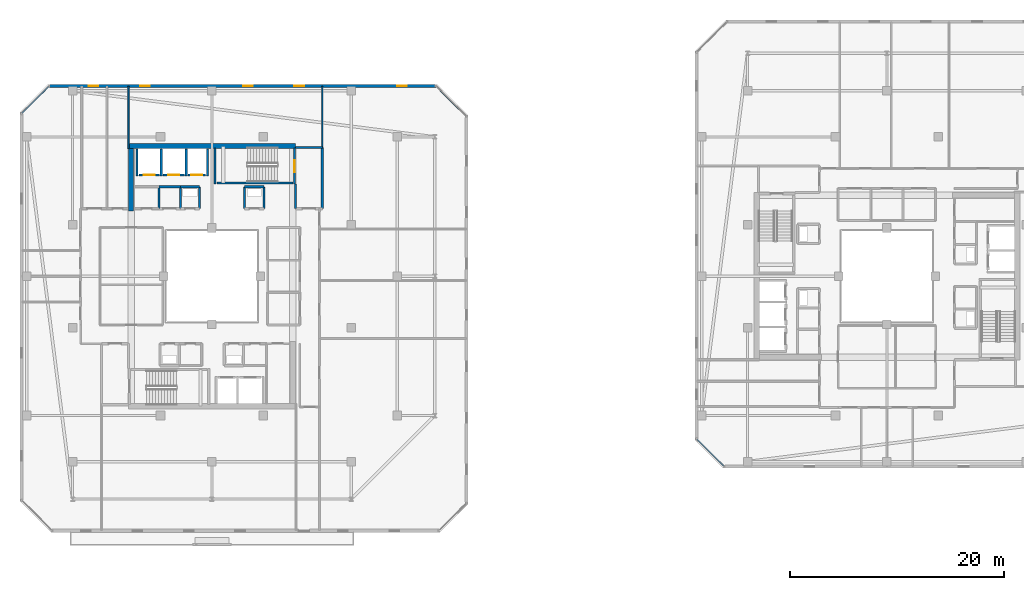
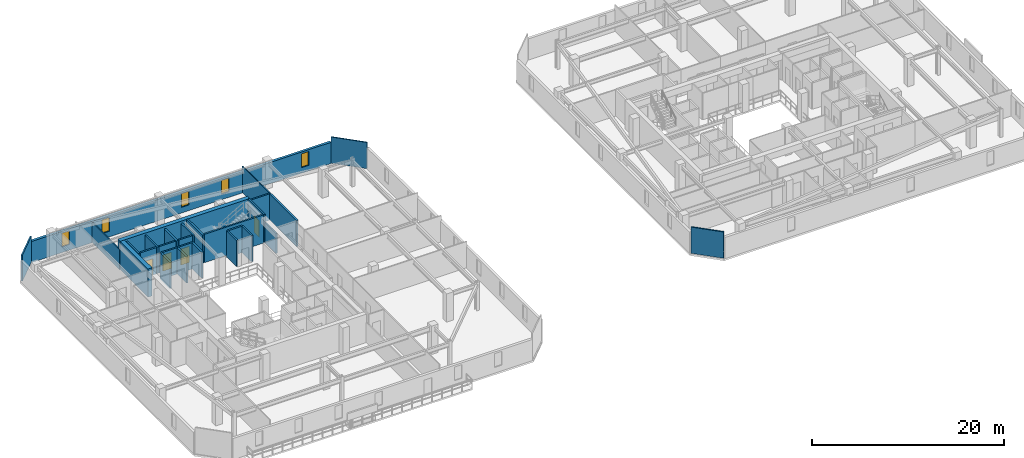
# One storey, part 24 of 35: 29 walls, 5 windows, 4 doors, 9 openings.
"""IFC4 building model written with IfcOpenShell, lengths in metres."""

from ifc_helpers import new_model, si_unit, direction, frame, frame_2d, origin, place, context, subcontext, project, spatial, rectangle, extrude, material, layer, layer_set, type_object, element, fill, save


model = new_model("IFC4")

# Units and contexts
model_context = context("Model", 3, precision=1e-05, world=origin(), true_north=direction((0.0, 1.0)))
body_context = subcontext(model_context, "Body", "Model", "MODEL_VIEW")
ifc_project = project(units=[si_unit("LENGTHUNIT", "METRE"), si_unit("AREAUNIT", "SQUARE_METRE"), si_unit("VOLUMEUNIT", "CUBIC_METRE"), si_unit("PLANEANGLEUNIT", "RADIAN"), si_unit("MASSUNIT", "GRAM", prefix="KILO")], contexts=[model_context])

# Site, building, storey
site_placement = place(None, origin())
site = spatial("IfcSite", under=ifc_project, at=site_placement, CompositionType="ELEMENT")
building_placement = place(site_placement, origin())
building = spatial("IfcBuilding", under=site, at=building_placement, Name="Thornwick Lancets Civic Towers", CompositionType="ELEMENT")
storey_placement = place(building_placement, frame((0.0, 0.0, 272.699951171875)))
storey = spatial("IfcBuildingStorey", under=building, at=storey_placement, Name="L73", CompositionType="ELEMENT", Elevation=272.699951171875)

# Wall, opening, door
ifc_material_1 = material(Name="Concrete blockwork C40/50", Category="masonry")
ifc_layer_1 = layer(ifc_material_1, 0.199951171875, Name="Concrete blockwork C40/50")
ifc_layer_set_1 = layer_set([ifc_layer_1], Name="Concrete blockwork C40/50")
wall_type_1 = type_object("IfcWallType", Name="WALL_COMP_200", PredefinedType="STANDARD", material=ifc_layer_set_1)
wall_1_placement = place(storey_placement, frame((24.919921875, 36.449951171875, 0.0), z_axis=(0.0, 0.0, 1.0), x_axis=(-1.0, 0.0, 0.0)))
wall_1 = element("IfcWall", 1, at=wall_1_placement, inside=storey, type_object=wall_type_1, Name="L73 Hoistway Front Wall FL-A2", PredefinedType="STANDARD", context=body_context, shape_type="SweptSolid", body=[
    extrude(rectangle(XDim=1.639892578125, YDim=0.199951171875, at=frame_2d((0.81982421875, 0.0))), origin(), (0.0, 0.0, 1.0), 3.340087890625),
])
opening_1_placement = place(wall_1_placement, frame((0.31005859375, 0.0, 0.0)))
opening_1 = element("IfcOpeningElement", 2, at=opening_1_placement, cuts=wall_1, Name="Opening LD-FL-A2", PredefinedType="OPENING", context=body_context, shape_type="SweptSolid", body=[
    extrude(rectangle(XDim=1.02001953125, YDim=2.06005859375, at=frame_2d((0.510009765625, 1.030029296875))), frame((0.0, 0.10986328125, 0.0), z_axis=(0.0, -1.0, 0.0), x_axis=(1.0, 0.0, 0.0)), (0.0, 0.0, 1.0), 0.219970703125),
])
ifc_material_2 = material(Name="Brushed bronze stainless steel", Category="steel")
door_type_1 = type_object("IfcDoorType", Name="DOOR_LIFT_SLIDE", OperationType="SLIDING_TO_LEFT", PredefinedType="DOOR", material=ifc_material_2)
door_1_placement = place(opening_1_placement, origin())
door_1 = element("IfcDoor", 3, at=door_1_placement, inside=storey, type_object=door_type_1, Name="L73 Sliding Lift Landing Door LD-FL-A2", OperationType="SLIDING_TO_LEFT", OverallHeight=2.06005859375, OverallWidth=1.02001953125, PredefinedType="DOOR", context=body_context, shape_type="SweptSolid", body=[
    extrude(rectangle(XDim=1.02001953125, YDim=2.06005859375, at=frame_2d((0.510009765625, 1.030029296875))), frame((0.0, 0.02490234375, 0.0), z_axis=(0.0, -1.0, 0.0), x_axis=(1.0, 0.0, 0.0)), (0.0, 0.0, 1.0), 0.050048828125),
])
fill(opening_1, door_1)

wall_2_placement = place(storey_placement, frame((22.919921875, 36.449951171875, 0.0), z_axis=(0.0, 0.0, 1.0), x_axis=(-1.0, 0.0, 0.0)))
wall_2 = element("IfcWall", 4, at=wall_2_placement, inside=storey, type_object=wall_type_1, Name="L73 Hoistway Front Wall PL-AH2", PredefinedType="STANDARD", context=body_context, shape_type="SweptSolid", body=[
    extrude(rectangle(XDim=1.989990234375, YDim=0.199951171875, at=frame_2d((0.9951171875, 0.0))), origin(), (0.0, 0.0, 1.0), 3.340087890625),
])
opening_2_placement = place(wall_2_placement, frame((0.485107421875, 0.0, 0.0)))
opening_2 = element("IfcOpeningElement", 5, at=opening_2_placement, cuts=wall_2, Name="Opening LD-PL-AH2", PredefinedType="OPENING", context=body_context, shape_type="SweptSolid", body=[
    extrude(rectangle(XDim=1.02001953125, YDim=2.06005859375, at=frame_2d((0.510009765625, 1.030029296875))), frame((0.0, 0.10986328125, 0.0), z_axis=(0.0, -1.0, 0.0), x_axis=(1.0, 0.0, 0.0)), (0.0, 0.0, 1.0), 0.219970703125),
])
door_2_placement = place(opening_2_placement, origin())
door_2 = element("IfcDoor", 6, at=door_2_placement, inside=storey, type_object=door_type_1, Name="L73 Sliding Lift Landing Door LD-PL-AH2", OperationType="SLIDING_TO_LEFT", OverallHeight=2.06005859375, OverallWidth=1.02001953125, PredefinedType="DOOR", context=body_context, shape_type="SweptSolid", body=[
    extrude(rectangle(XDim=1.02001953125, YDim=2.06005859375, at=frame_2d((0.510009765625, 1.030029296875))), frame((0.0, 0.02490234375, 0.0), z_axis=(0.0, -1.0, 0.0), x_axis=(1.0, 0.0, 0.0)), (0.0, 0.0, 1.0), 0.050048828125),
])
fill(opening_2, door_2)

wall_3_placement = place(storey_placement, frame((20.6201171875, 36.449951171875, 0.0), z_axis=(0.0, 0.0, 1.0), x_axis=(-1.0, 0.0, 0.0)))
wall_3 = element("IfcWall", 7, at=wall_3_placement, inside=storey, type_object=wall_type_1, Name="L73 Hoistway Front Wall PL-AH3", PredefinedType="STANDARD", context=body_context, shape_type="SweptSolid", body=[
    extrude(rectangle(XDim=1.940185546875, YDim=0.199951171875, at=frame_2d((0.97021484375, 0.0))), origin(), (0.0, 0.0, 1.0), 3.340087890625),
])
opening_3_placement = place(wall_3_placement, frame((0.4599609375, 0.0, 0.0)))
opening_3 = element("IfcOpeningElement", 8, at=opening_3_placement, cuts=wall_3, Name="Opening LD-PL-AH3", PredefinedType="OPENING", context=body_context, shape_type="SweptSolid", body=[
    extrude(rectangle(XDim=1.02001953125, YDim=2.06005859375, at=frame_2d((0.510009765625, 1.030029296875))), frame((0.0, 0.10986328125, 0.0), z_axis=(0.0, -1.0, 0.0), x_axis=(1.0, 0.0, 0.0)), (0.0, 0.0, 1.0), 0.219970703125),
])
door_3_placement = place(opening_3_placement, origin())
door_3 = element("IfcDoor", 9, at=door_3_placement, inside=storey, type_object=door_type_1, Name="L73 Sliding Lift Landing Door LD-PL-AH3", OperationType="SLIDING_TO_LEFT", OverallHeight=2.06005859375, OverallWidth=1.02001953125, PredefinedType="DOOR", context=body_context, shape_type="SweptSolid", body=[
    extrude(rectangle(XDim=1.02001953125, YDim=2.06005859375, at=frame_2d((0.510009765625, 1.030029296875))), frame((0.0, 0.02490234375, 0.0), z_axis=(0.0, -1.0, 0.0), x_axis=(1.0, 0.0, 0.0)), (0.0, 0.0, 1.0), 0.050048828125),
])
fill(opening_3, door_3)

# Walls
for number, where, z_axis, x_axis, name in (
    (10, (25.10009765625, 36.35205078125, 0.0), (0.0, 0.0, 1.0), (0.0, 1.0, 0.0), "L73 Hoistway Shaft Wall FL-A2 E"),
    (11, (23.10009765625, 36.35205078125, 0.0), (0.0, 0.0, 1.0), (0.0, 1.0, 0.0), "L73 Hoistway Shaft Wall FL-A2 W"),
    (12, (20.77490234375, 36.35205078125, 0.0), (0.0, 0.0, 1.0), (0.0, 1.0, 0.0), "L73 Hoistway Shaft Wall PL-AH2 W"),
    (13, (18.5, 36.35205078125, 0.0), (0.0, 0.0, 1.0), (0.0, 1.0, 0.0), "L73 Hoistway Shaft Wall PL-AH3 W"),
):
    element("IfcWall", number, at=place(storey_placement, frame(where, z_axis=z_axis, x_axis=x_axis)), inside=storey, type_object=wall_type_1, Name=name, PredefinedType="STANDARD", context=body_context, shape_type="SweptSolid", body=[
        extrude(rectangle(XDim=2.535888671875, YDim=0.199951171875, at=frame_2d((1.26806640625, 0.0))), origin(), (0.0, 0.0, 1.0), 3.340087890625),
    ])
wall_4_placement = place(storey_placement, frame((35.800048828125, 33.300048828125, 0.0), z_axis=(0.0, 0.0, 1.0), x_axis=(0.0, 1.0, 0.0)))
element("IfcWall", 14, at=wall_4_placement, inside=storey, type_object=wall_type_1, Name="L73 Partition L73-A-FFLOB2 E2", PredefinedType="STANDARD", context=body_context, shape_type="SweptSolid", body=[
    extrude(rectangle(XDim=5.699951171875, YDim=0.199951171875, at=frame_2d((2.85009765625, 0.0))), origin(), (0.0, 0.0, 1.0), 3.340087890625),
])
wall_5_placement = place(storey_placement, frame((35.800048828125, 39.0, 0.0), z_axis=(0.0, 0.0, 1.0), x_axis=(-1.0, 0.0, 0.0)))
element("IfcWall", 15, at=wall_5_placement, inside=storey, type_object=wall_type_1, Name="L73 Partition L73-A-FFLOB2 E3", PredefinedType="STANDARD", context=body_context, shape_type="SweptSolid", body=[
    extrude(rectangle(XDim=2.5, YDim=0.199951171875, at=frame_2d((1.25, 0.0))), origin(), (0.0, 0.0, 1.0), 3.340087890625),
])
wall_6_placement = place(storey_placement, frame((33.300048828125, 35.60009765625, 0.0), z_axis=(0.0, 0.0, 1.0), x_axis=(0.0, -1.0, 0.0)))
element("IfcWall", 16, at=wall_6_placement, inside=storey, type_object=wall_type_1, Name="L73 Partition L73-A-FFLOB2 E4", PredefinedType="STANDARD", context=body_context, shape_type="SweptSolid", body=[
    extrude(rectangle(XDim=2.300048828125, YDim=0.199951171875, at=frame_2d((1.14990234375, 0.0))), origin(), (0.0, 0.0, 1.0), 2.545166015625),
])
wall_7_placement = place(storey_placement, frame((24.35009765625, 33.300048828125, 0.0), z_axis=(0.0, 0.0, 1.0), x_axis=(0.0, 1.0, 0.0)))
element("IfcWall", 17, at=wall_7_placement, inside=storey, type_object=wall_type_1, Name="L73 Partition L73-A-DUCT2 E2", PredefinedType="STANDARD", context=body_context, shape_type="SweptSolid", body=[
    extrude(rectangle(XDim=2.050048828125, YDim=0.199951171875, at=frame_2d((1.02490234375, 0.0))), origin(), (0.0, 0.0, 1.0), 3.340087890625),
])
wall_8_placement = place(storey_placement, frame((24.35009765625, 35.35009765625, 0.0), z_axis=(0.0, 0.0, 1.0), x_axis=(-1.0, 0.0, 0.0)))
element("IfcWall", 18, at=wall_8_placement, inside=storey, type_object=wall_type_1, Name="L73 Partition L73-A-DUCT2 E3", PredefinedType="STANDARD", context=body_context, shape_type="SweptSolid", body=[
    extrude(rectangle(XDim=1.800048828125, YDim=0.199951171875, at=frame_2d((0.89990234375, 0.0))), origin(), (0.0, 0.0, 1.0), 3.340087890625),
])
for number, where, z_axis, x_axis, name in (
    (19, (22.550048828125, 35.35009765625, 0.0), (0.0, 0.0, 1.0), (0.0, -1.0, 0.0), "L73 Partition L73-A-DUCT2 E4"),
    (20, (30.35009765625, 33.300048828125, 0.0), (0.0, 0.0, 1.0), (0.0, 1.0, 0.0), "L73 Partition L73-A-RISER2 E2"),
):
    element("IfcWall", number, at=place(storey_placement, frame(where, z_axis=z_axis, x_axis=x_axis)), inside=storey, type_object=wall_type_1, Name=name, PredefinedType="STANDARD", context=body_context, shape_type="SweptSolid", body=[
        extrude(rectangle(XDim=2.050048828125, YDim=0.199951171875, at=frame_2d((1.02490234375, 0.0))), origin(), (0.0, 0.0, 1.0), 3.340087890625),
    ])
wall_9_placement = place(storey_placement, frame((30.35009765625, 35.35009765625, 0.0), z_axis=(0.0, 0.0, 1.0), x_axis=(-1.0, 0.0, 0.0)))
element("IfcWall", 21, at=wall_9_placement, inside=storey, type_object=wall_type_1, Name="L73 Partition L73-A-RISER2 E3", PredefinedType="STANDARD", context=body_context, shape_type="SweptSolid", body=[
    extrude(rectangle(XDim=1.800048828125, YDim=0.199951171875, at=frame_2d((0.89990234375, 0.0))), origin(), (0.0, 0.0, 1.0), 3.340087890625),
])
for number, where, z_axis, x_axis, name in (
    (22, (28.550048828125, 35.35009765625, 0.0), (0.0, 0.0, 1.0), (0.0, -1.0, 0.0), "L73 Partition L73-A-RISER2 E4"),
    (23, (20.550048828125, 33.300048828125, 0.0), (0.0, 0.0, 1.0), (0.0, 1.0, 0.0), "L73 Partition L73-A-STR E1"),
):
    element("IfcWall", number, at=place(storey_placement, frame(where, z_axis=z_axis, x_axis=x_axis)), inside=storey, type_object=wall_type_1, Name=name, PredefinedType="STANDARD", context=body_context, shape_type="SweptSolid", body=[
        extrude(rectangle(XDim=2.050048828125, YDim=0.199951171875, at=frame_2d((1.02490234375, 0.0))), origin(), (0.0, 0.0, 1.0), 3.340087890625),
    ])
wall_10_placement = place(storey_placement, frame((20.550048828125, 35.35009765625, 0.0), z_axis=(0.0, 0.0, 1.0), x_axis=(1.0, 0.0, 0.0)))
element("IfcWall", 24, at=wall_10_placement, inside=storey, type_object=wall_type_1, Name="L73 Partition L73-A-STR E2", PredefinedType="STANDARD", context=body_context, shape_type="SweptSolid", body=[
    extrude(rectangle(XDim=2.0, YDim=0.199951171875, at=frame_2d((1.0, 0.0))), origin(), (0.0, 0.0, 1.0), 3.340087890625),
])
ifc_material_3 = material(Name="Concrete C50/60", Category="concrete")
ifc_layer_2 = layer(ifc_material_3, 0.5, Name="Concrete C50/60")
ifc_layer_set_2 = layer_set([ifc_layer_2], Name="Concrete C50/60")
wall_type_2 = type_object("IfcWallType", Name="WALL_CORE_500", PredefinedType="SHEAR", material=ifc_layer_set_2)
wall_11_placement = place(storey_placement, frame((17.699951171875, 39.14990234375, 0.0), z_axis=(0.0, 0.0, 1.0), x_axis=(1.0, 0.0, 0.0)))
element("IfcWall", 25, at=wall_11_placement, inside=storey, type_object=wall_type_2, Name="L73 Split Core A2 Shear Wall N", PredefinedType="SHEAR", context=body_context, shape_type="SweptSolid", body=[
    extrude(rectangle(XDim=15.60009765625, YDim=0.5, at=frame_2d((7.800048828125, 0.0))), origin(), (0.0, 0.0, 1.0), 3.60009765625),
])
wall_12_placement = place(storey_placement, frame((17.949951171875, 33.10009765625, 0.0), z_axis=(0.0, 0.0, 1.0), x_axis=(0.0, 1.0, 0.0)))
element("IfcWall", 26, at=wall_12_placement, inside=storey, type_object=wall_type_2, Name="L73 Split Core A2 Shear Wall W", PredefinedType="SHEAR", context=body_context, shape_type="SweptSolid", body=[
    extrude(rectangle(XDim=5.7998046875, YDim=0.5, at=frame_2d((2.89990234375, 0.0))), origin(), (0.0, 0.0, 1.0), 3.60009765625),
])

# Wall, openings, windows
ifc_material_4 = material(Name="Insulated russet terracotta rainscreen on concrete C40/50", Category="masonry")
ifc_layer_3 = layer(ifc_material_4, 0.300048828125, Name="Insulated russet terracotta rainscreen on concrete C40/50")
ifc_layer_set_3 = layer_set([ifc_layer_3], Name="Insulated russet terracotta rainscreen on concrete C40/50")
wall_type_3 = type_object("IfcWallType", Name="WALL_EXT_RUSSET_300", PredefinedType="STANDARD", material=ifc_layer_set_3)
wall_13_placement = place(storey_placement, frame((46.405517578125, 44.763671875, 0.0), z_axis=(0.0, 0.0, 1.0), x_axis=(-0.999999999634, 2.7061402e-05, 0.0)))
wall_13 = element("IfcWall", 27, at=wall_13_placement, inside=storey, type_object=wall_type_3, Name="L73 Tower A Terracotta Facade Wall E4", PredefinedType="STANDARD", context=body_context, shape_type="SweptSolid", body=[
    extrude(rectangle(XDim=36.0869140625, YDim=0.300048828125, at=frame_2d((18.04345703125, 0.0))), origin(), (0.0, 0.0, 1.0), 2.699951171875),
])
opening_4_placement = place(wall_13_placement, frame((2.699951171875, 0.0, 0.719970703125)))
opening_4 = element("IfcOpeningElement", 28, at=opening_4_placement, cuts=wall_13, Name="Opening WL-01", PredefinedType="OPENING", context=body_context, shape_type="SweptSolid", body=[
    extrude(rectangle(XDim=0.89990234375, YDim=1.75, at=frame_2d((0.449951171875, 0.875))), frame((0.0, 0.16015625, 0.0), z_axis=(0.0, -1.0, 0.0), x_axis=(1.0, 0.0, 0.0)), (0.0, 0.0, 1.0), 0.320068359375),
])
opening_5_placement = place(wall_13_placement, frame((12.300048828125, 0.0, 0.719970703125)))
opening_5 = element("IfcOpeningElement", 29, at=opening_5_placement, cuts=wall_13, Name="Opening WL-01", PredefinedType="OPENING", context=body_context, shape_type="SweptSolid", body=[
    extrude(rectangle(XDim=0.89990234375, YDim=1.75, at=frame_2d((0.449951171875, 0.875))), frame((0.0, 0.16015625, 0.0), z_axis=(0.0, -1.0, 0.0), x_axis=(1.0, 0.0, 0.0)), (0.0, 0.0, 1.0), 0.320068359375),
])
opening_6_placement = place(wall_13_placement, frame((17.10009765625, 0.0, 0.719970703125)))
opening_6 = element("IfcOpeningElement", 30, at=opening_6_placement, cuts=wall_13, Name="Opening WL-01", PredefinedType="OPENING", context=body_context, shape_type="SweptSolid", body=[
    extrude(rectangle(XDim=0.89990234375, YDim=1.75, at=frame_2d((0.449951171875, 0.875))), frame((0.0, 0.16015625, 0.0), z_axis=(0.0, -1.0, 0.0), x_axis=(1.0, 0.0, 0.0)), (0.0, 0.0, 1.0), 0.320068359375),
])
opening_7_placement = place(wall_13_placement, frame((26.699951171875, 0.0, 0.719970703125)))
opening_7 = element("IfcOpeningElement", 31, at=opening_7_placement, cuts=wall_13, Name="Opening WL-01", PredefinedType="OPENING", context=body_context, shape_type="SweptSolid", body=[
    extrude(rectangle(XDim=0.89990234375, YDim=1.75, at=frame_2d((0.449951171875, 0.875))), frame((0.0, 0.16015625, 0.0), z_axis=(0.0, -1.0, 0.0), x_axis=(1.0, 0.0, 0.0)), (0.0, 0.0, 1.0), 0.320068359375),
])
opening_8_placement = place(wall_13_placement, frame((31.5, 0.0, 0.719970703125)))
opening_8 = element("IfcOpeningElement", 32, at=opening_8_placement, cuts=wall_13, Name="Opening WL-01", PredefinedType="OPENING", context=body_context, shape_type="SweptSolid", body=[
    extrude(rectangle(XDim=0.89990234375, YDim=1.75, at=frame_2d((0.449951171875, 0.875))), frame((0.0, 0.16015625, 0.0), z_axis=(0.0, -1.0, 0.0), x_axis=(1.0, 0.0, 0.0)), (0.0, 0.0, 1.0), 0.320068359375),
])
ifc_material_5 = material(Name="Clear low-e double glazing in bronze frame", Category="glass")
window_type = type_object("IfcWindowType", Name="WIN_LANCET_900", PartitioningType="SINGLE_PANEL", PredefinedType="WINDOW", material=ifc_material_5)
window_1_placement = place(opening_4_placement, origin())
window_1 = element("IfcWindow", 33, at=window_1_placement, inside=storey, type_object=window_type, Name="L73 Tower A Staggered Lancet Window E4-1", OverallHeight=1.75, OverallWidth=0.89990234375, PartitioningType="SINGLE_PANEL", PredefinedType="WINDOW", context=body_context, shape_type="SweptSolid", body=[
    extrude(rectangle(XDim=0.89990234375, YDim=1.75, at=frame_2d((0.449951171875, 0.875))), frame((0.0, 0.030029296875, 0.0), z_axis=(0.0, -1.0, 0.0), x_axis=(1.0, 0.0, 0.0)), (0.0, 0.0, 1.0), 0.06005859375),
])
fill(opening_4, window_1)
window_2_placement = place(opening_5_placement, origin())
window_2 = element("IfcWindow", 34, at=window_2_placement, inside=storey, type_object=window_type, Name="L73 Tower A Staggered Lancet Window E4-2", OverallHeight=1.75, OverallWidth=0.89990234375, PartitioningType="SINGLE_PANEL", PredefinedType="WINDOW", context=body_context, shape_type="SweptSolid", body=[
    extrude(rectangle(XDim=0.89990234375, YDim=1.75, at=frame_2d((0.449951171875, 0.875))), frame((0.0, 0.030029296875, 0.0), z_axis=(0.0, -1.0, 0.0), x_axis=(1.0, 0.0, 0.0)), (0.0, 0.0, 1.0), 0.06005859375),
])
fill(opening_5, window_2)
window_3_placement = place(opening_6_placement, origin())
window_3 = element("IfcWindow", 35, at=window_3_placement, inside=storey, type_object=window_type, Name="L73 Tower A Staggered Lancet Window E4-3", OverallHeight=1.75, OverallWidth=0.89990234375, PartitioningType="SINGLE_PANEL", PredefinedType="WINDOW", context=body_context, shape_type="SweptSolid", body=[
    extrude(rectangle(XDim=0.89990234375, YDim=1.75, at=frame_2d((0.449951171875, 0.875))), frame((0.0, 0.030029296875, 0.0), z_axis=(0.0, -1.0, 0.0), x_axis=(1.0, 0.0, 0.0)), (0.0, 0.0, 1.0), 0.06005859375),
])
fill(opening_6, window_3)
window_4_placement = place(opening_7_placement, origin())
window_4 = element("IfcWindow", 36, at=window_4_placement, inside=storey, type_object=window_type, Name="L73 Tower A Staggered Lancet Window E4-4", OverallHeight=1.75, OverallWidth=0.89990234375, PartitioningType="SINGLE_PANEL", PredefinedType="WINDOW", context=body_context, shape_type="SweptSolid", body=[
    extrude(rectangle(XDim=0.89990234375, YDim=1.75, at=frame_2d((0.449951171875, 0.875))), frame((0.0, 0.030029296875, 0.0), z_axis=(0.0, -1.0, 0.0), x_axis=(1.0, 0.0, 0.0)), (0.0, 0.0, 1.0), 0.06005859375),
])
fill(opening_7, window_4)
window_5_placement = place(opening_8_placement, origin())
window_5 = element("IfcWindow", 37, at=window_5_placement, inside=storey, type_object=window_type, Name="L73 Tower A Staggered Lancet Window E4-5", OverallHeight=1.75, OverallWidth=0.89990234375, PartitioningType="SINGLE_PANEL", PredefinedType="WINDOW", context=body_context, shape_type="SweptSolid", body=[
    extrude(rectangle(XDim=0.89990234375, YDim=1.75, at=frame_2d((0.449951171875, 0.875))), frame((0.0, 0.030029296875, 0.0), z_axis=(0.0, -1.0, 0.0), x_axis=(1.0, 0.0, 0.0)), (0.0, 0.0, 1.0), 0.06005859375),
])
fill(opening_8, window_5)

# Walls
ifc_material_6 = material(Name="Acoustic gypsum board partition")
ifc_layer_4 = layer(ifc_material_6, 0.1201171875, Name="Acoustic gypsum board partition")
ifc_layer_set_4 = layer_set([ifc_layer_4], Name="Acoustic gypsum board partition")
wall_type_4 = type_object("IfcWallType", Name="WALL_PART_120", PredefinedType="PARTITIONING", material=ifc_layer_set_4)
wall_14_placement = place(storey_placement, frame((35.800048828125, 39.0, 0.0), z_axis=(0.0, 0.0, 1.0), x_axis=(0.0, 1.0, 0.0)))
element("IfcWall", 38, at=wall_14_placement, inside=storey, type_object=wall_type_4, Name="L73 Partition L73-A-E4 E3", PredefinedType="PARTITIONING", context=body_context, shape_type="SweptSolid", body=[
    extrude(rectangle(XDim=5.719970703125, YDim=0.1201171875, at=frame_2d((2.85986328125, 0.0))), origin(), (0.0, 0.0, 1.0), 3.340087890625),
])
wall_15_placement = place(storey_placement, frame((46.448486328125, 44.719970703125, 0.0), z_axis=(0.0, 0.0, 1.0), x_axis=(0.707106781187, -0.707106781187, 0.0)))
element("IfcWall", 39, at=wall_15_placement, inside=storey, type_object=wall_type_4, Name="L73 Partition L73-A-E4 E5", PredefinedType="PARTITIONING", context=body_context, shape_type="SweptSolid", body=[
    extrude(rectangle(XDim=3.91943359375, YDim=0.1201171875, at=frame_2d((1.959716796875, 0.0))), origin(), (0.0, 0.0, 1.0), 3.340087890625),
])
ifc_material_7 = material(Name="Twin-stud acoustic gypsum board")
ifc_layer_5 = layer(ifc_material_7, 0.14990234375, Name="Twin-stud acoustic gypsum board")
ifc_layer_set_5 = layer_set([ifc_layer_5], Name="Twin-stud acoustic gypsum board")
wall_type_5 = type_object("IfcWallType", Name="WALL_PART_150", PredefinedType="PARTITIONING", material=ifc_layer_set_5)
wall_16_placement = place(storey_placement, frame((17.699951171875, 44.719970703125, 0.0), z_axis=(0.0, 0.0, 1.0), x_axis=(0.0, -1.0, 0.0)))
element("IfcWall", 40, at=wall_16_placement, inside=storey, type_object=wall_type_5, Name="L73 Partition L73-A-RECLAIM-M2 E3", PredefinedType="PARTITIONING", context=body_context, shape_type="SweptSolid", body=[
    extrude(rectangle(XDim=5.820068359375, YDim=0.14990234375, at=frame_2d((2.91015625, 0.0))), origin(), (0.0, 0.0, 1.0), 2.545166015625),
])
for number, where, z_axis, x_axis, name in (
    (41, (7.780029296875, 42.225341796875, 0.0), (0.0, 0.0, 1.0), (0.707106781187, 0.707106781187, 0.0), "L73 Partition L73-A-W2C E2"),
    (42, (73.274658203125, 9.280029296875, 0.0), (0.0, 0.0, 1.0), (-0.707106781187, 0.707106781187, 0.0), "L73 Partition L73-B-W2C E2"),
):
    element("IfcWall", number, at=place(storey_placement, frame(where, z_axis=z_axis, x_axis=x_axis)), inside=storey, type_object=wall_type_5, Name=name, PredefinedType="PARTITIONING", context=body_context, shape_type="SweptSolid", body=[
        extrude(rectangle(XDim=3.52783203125, YDim=0.14990234375, at=frame_2d((1.763916015625, 0.0))), origin(), (0.0, 0.0, 1.0), 3.340087890625),
    ])

# Wall, opening, door
ifc_material_8 = material(Name="Concrete C40/50", Category="concrete")
ifc_layer_6 = layer(ifc_material_8, 0.199951171875, Name="Concrete C40/50")
ifc_layer_set_6 = layer_set([ifc_layer_6], Name="Concrete C40/50")
wall_type_6 = type_object("IfcWallType", Name="WALL_SHAFT_200", PredefinedType="SHEAR", material=ifc_layer_set_6)
wall_17_placement = place(storey_placement, frame((33.199951171875, 38.949951171875, 0.0), z_axis=(0.0, 0.0, 1.0), x_axis=(0.0, -1.0, 0.0)))
wall_17 = element("IfcWall", 43, at=wall_17_placement, inside=storey, type_object=wall_type_6, Name="L73 ST-A2 Fire Stair Core Wall NEAR", PredefinedType="SHEAR", context=body_context, shape_type="SweptSolid", body=[
    extrude(rectangle(XDim=3.349853515625, YDim=0.199951171875, at=frame_2d((1.6748046875, 0.0))), origin(), (0.0, 0.0, 1.0), 3.60009765625),
])
opening_9_placement = place(wall_17_placement, frame((1.125, 0.0, 0.0)))
opening_9 = element("IfcOpeningElement", 44, at=opening_9_placement, cuts=wall_17, Name="Opening D-ST-A2-L73", PredefinedType="OPENING", context=body_context, shape_type="SweptSolid", body=[
    extrude(rectangle(XDim=1.10009765625, YDim=2.10009765625, at=frame_2d((0.550048828125, 1.050048828125))), frame((0.0, 0.10986328125, 0.0), z_axis=(0.0, -1.0, 0.0), x_axis=(1.0, 0.0, 0.0)), (0.0, 0.0, 1.0), 0.219970703125),
])
ifc_material_9 = material(Name="Fire-resisting steel and hardwood", Category="steel")
door_type_2 = type_object("IfcDoorType", Name="DOOR_STAIR_FD60", OperationType="NOTDEFINED", PredefinedType="DOOR", material=ifc_material_9)
door_4_placement = place(opening_9_placement, origin())
door_4 = element("IfcDoor", 45, at=door_4_placement, inside=storey, type_object=door_type_2, Name="L73 ST-A2 Exit Stair Door", OperationType="SINGLE_SWING_LEFT", OverallHeight=2.10009765625, OverallWidth=1.10009765625, PredefinedType="DOOR", context=body_context, shape_type="SweptSolid", body=[
    extrude(rectangle(XDim=1.10009765625, YDim=2.10009765625, at=frame_2d((0.550048828125, 1.050048828125))), frame((0.0, 0.02490234375, 0.0), z_axis=(0.0, -1.0, 0.0), x_axis=(1.0, 0.0, 0.0)), (0.0, 0.0, 1.0), 0.050048828125),
])
fill(opening_9, door_4)

# Walls
wall_18_placement = place(storey_placement, frame((25.800048828125, 35.60009765625, 0.0), z_axis=(0.0, 0.0, 1.0), x_axis=(0.0, 1.0, 0.0)))
element("IfcWall", 46, at=wall_18_placement, inside=storey, type_object=wall_type_6, Name="L73 ST-A2 Fire Stair Core Wall FAR", PredefinedType="SHEAR", context=body_context, shape_type="SweptSolid", body=[
    extrude(rectangle(XDim=3.349853515625, YDim=0.199951171875, at=frame_2d((1.6748046875, 0.0))), origin(), (0.0, 0.0, 1.0), 3.60009765625),
])
wall_19_placement = place(storey_placement, frame((25.949951171875, 35.702880859375, 0.0), z_axis=(0.0, 0.0, 1.0), x_axis=(1.0, 0.0, 0.0)))
element("IfcWall", 47, at=wall_19_placement, inside=storey, type_object=wall_type_6, Name="L73 ST-A2 Fire Stair Core Wall RIGHT", PredefinedType="SHEAR", context=body_context, shape_type="SweptSolid", body=[
    extrude(rectangle(XDim=7.10009765625, YDim=0.199951171875, at=frame_2d((3.550048828125, 0.0))), origin(), (0.0, 0.0, 1.0), 3.60009765625),
])

save(model, "model.ifc")
